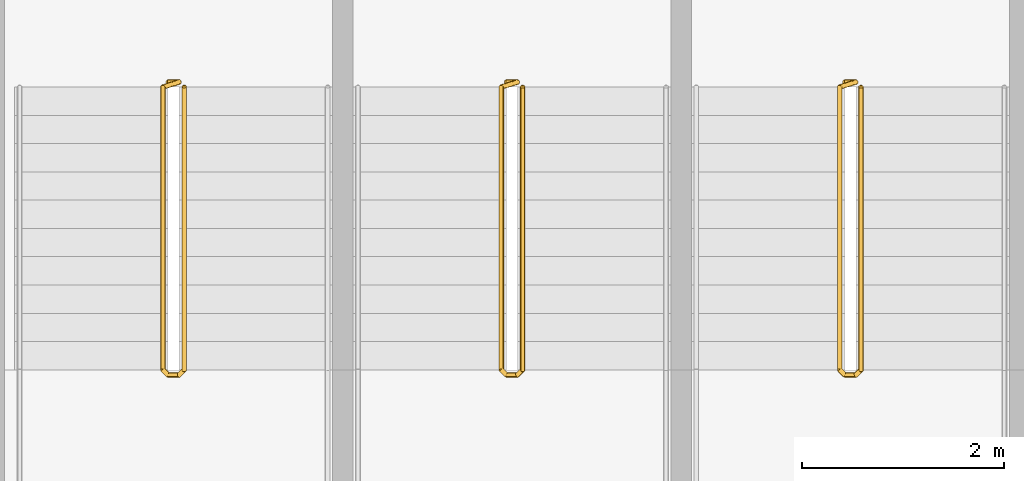
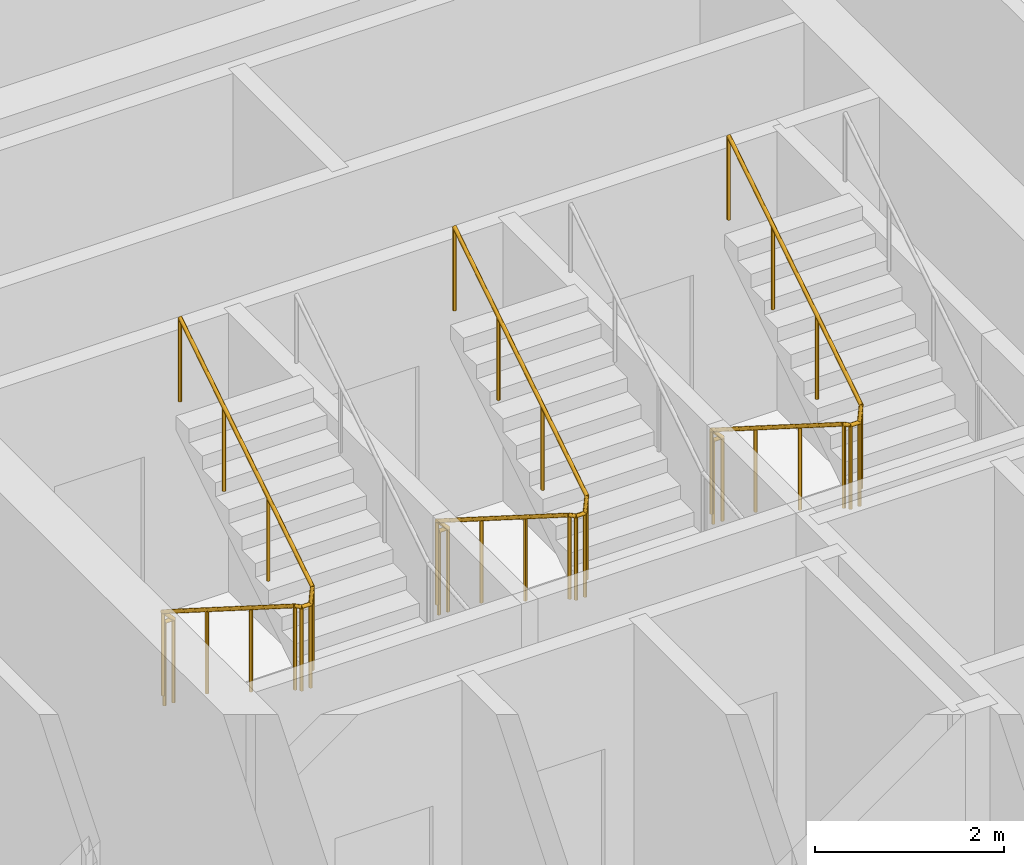
# One storey, part 13 of 13: 3 railings.
"""IFC4 building model written with IfcOpenShell, lengths in metres."""

from ifc_helpers import new_model, si_unit, direction, frame, origin, origin_2d, place, context, subcontext, project, spatial, circle, extrude, material, type_object, element, save


model = new_model("IFC4")

# Units and contexts
model_context = context("Model", 3, precision=1e-05, world=origin(), true_north=direction((0.0, 1.0)))
body_context = subcontext(model_context, "Body", "Model", "MODEL_VIEW")
ifc_project = project(units=[si_unit("LENGTHUNIT", "METRE"), si_unit("AREAUNIT", "SQUARE_METRE"), si_unit("VOLUMEUNIT", "CUBIC_METRE"), si_unit("PLANEANGLEUNIT", "RADIAN"), si_unit("MASSUNIT", "GRAM", prefix="KILO")], contexts=[model_context])

# Site, building, storey
site_placement = place(None, origin())
site = spatial("IfcSite", under=ifc_project, at=site_placement, CompositionType="ELEMENT")
building_placement = place(site_placement, origin())
building = spatial("IfcBuilding", under=site, at=building_placement, Name="Tessera Arch", CompositionType="ELEMENT")
storey_placement = place(building_placement, frame((0.0, 0.0, 189.5)))
storey = spatial("IfcBuildingStorey", under=building, at=storey_placement, Name="L45", CompositionType="ELEMENT", Elevation=189.5)

# Railings
ifc_material = material(Name="Painted steel balustrade", Category="steel")
railing_type = type_object("IfcRailingType", Name="Stair guard 1100", PredefinedType="GUARDRAIL", material=ifc_material)
railing_1_placement = place(storey_placement, frame((38.219970703125, 43.6298828125, 0.0)))
element("IfcRailing", 1, at=railing_1_placement, inside=storey, type_object=railing_type, Name="L45 S1a stair guard 1", PredefinedType="GUARDRAIL", context=body_context, shape_type="SweptSolid", body=[
    extrude(circle(Radius=0.02392578125, at=origin_2d()), frame((-0.00390625, 0.0, 1.076171875), z_axis=(1.0, 0.0, 0.0), x_axis=(0.0, 1.0, 0.0)), (0.0, 0.0, 1.0), 0.1181640625),
    extrude(circle(Radius=0.02392578125, at=origin_2d()), frame((0.11279296875, 0.000732421875, 1.0732421875), z_axis=(-0.656319048605, -0.204099216335, 0.726353093426), x_axis=(0.296948579431, -0.954893471113, 0.0)), (0.0, 0.0, 1.0), 0.251953125),
    extrude(circle(Radius=0.02392578125, at=origin_2d()), frame((-0.050048828125, -0.04638671875, 1.251220703125), z_axis=(0.0, -0.844908973607, 0.534910110503), x_axis=(1.0, 0.0, 0.0)), (0.0, 0.0, 1.0), 3.322021484375),
    extrude(circle(Radius=0.02392578125, at=origin_2d()), frame((-0.052978515625, -2.846923828125, 3.02587890625), z_axis=(0.707106781187, -0.707106781187, 0.0), x_axis=(0.707106781187, 0.707106781187, 0.0)), (0.0, 0.0, 1.0), 0.078857421875),
    extrude(circle(Radius=0.02392578125, at=origin_2d()), frame((-0.00390625, -2.89990234375, 3.02587890625), z_axis=(1.0, 0.0, 0.0), x_axis=(0.0, 1.0, 0.0)), (0.0, 0.0, 1.0), 0.1181640625),
    extrude(circle(Radius=0.02392578125, at=origin_2d()), frame((0.109130859375, -2.90087890625, 3.022216796875), z_axis=(0.261041864531, 0.262321481514, 0.929001929653), x_axis=(-0.708833529934, 0.705375805398, 0.0)), (0.0, 0.0, 1.0), 0.19873046875),
    extrude(circle(Radius=0.02392578125, at=origin_2d()), frame((0.159912109375, -2.853271484375, 3.201171875), z_axis=(0.0, 0.844908973607, 0.534910110503), x_axis=(-1.0, 0.0, 0.0)), (0.0, 0.0, 1.0), 3.322021484375),
    extrude(circle(Radius=0.02099609375, at=origin_2d()), origin(), (0.0, 0.0, 1.0), 1.06396484375),
    extrude(circle(Radius=0.02099609375, at=origin_2d()), frame((0.110107421875, 0.0, 0.0)), (0.0, 0.0, 1.0), 1.06396484375),
    extrude(circle(Radius=0.02099609375, at=origin_2d()), frame((-0.050048828125, -0.0498046875, 0.17724609375)), (0.0, 0.0, 1.0), 1.06396484375),
    extrude(circle(Radius=0.02099609375, at=origin_2d()), frame((-0.050048828125, -0.983154296875, 0.76806640625)), (0.0, 0.0, 1.0), 1.06396484375),
    extrude(circle(Radius=0.02099609375, at=origin_2d()), frame((-0.050048828125, -1.91650390625, 1.359130859375)), (0.0, 0.0, 1.0), 1.06396484375),
    extrude(circle(Radius=0.02099609375, at=origin_2d()), frame((-0.050048828125, -2.849853515625, 1.949951171875)), (0.0, 0.0, 1.0), 1.06396484375),
    extrude(circle(Radius=0.02099609375, at=origin_2d()), frame((0.0, -2.89990234375, 1.949951171875)), (0.0, 0.0, 1.0), 1.06396484375),
    extrude(circle(Radius=0.02099609375, at=origin_2d()), frame((0.110107421875, -2.89990234375, 1.949951171875)), (0.0, 0.0, 1.0), 1.06396484375),
    extrude(circle(Radius=0.02099609375, at=origin_2d()), frame((0.159912109375, -2.849853515625, 2.127197265625)), (0.0, 0.0, 1.0), 1.06396484375),
    extrude(circle(Radius=0.02099609375, at=origin_2d()), frame((0.159912109375, -1.91650390625, 2.718017578125)), (0.0, 0.0, 1.0), 1.06396484375),
    extrude(circle(Radius=0.02099609375, at=origin_2d()), frame((0.159912109375, -0.983154296875, 3.30908203125)), (0.0, 0.0, 1.0), 1.06396484375),
    extrude(circle(Radius=0.02099609375, at=origin_2d()), frame((0.159912109375, -0.0498046875, 3.89990234375)), (0.0, 0.0, 1.0), 1.06396484375),
])
railing_2_placement = place(storey_placement, frame((41.570068359375, 43.6298828125, 0.0)))
element("IfcRailing", 2, at=railing_2_placement, inside=storey, type_object=railing_type, Name="L45 S1b stair guard 1", PredefinedType="GUARDRAIL", context=body_context, shape_type="SweptSolid", body=[
    extrude(circle(Radius=0.02392578125, at=origin_2d()), frame((-0.00390625, 0.0, 1.076171875), z_axis=(1.0, 0.0, 0.0), x_axis=(0.0, 1.0, 0.0)), (0.0, 0.0, 1.0), 0.117919921875),
    extrude(circle(Radius=0.02392578125, at=origin_2d()), frame((0.112548828125, 0.000732421875, 1.0732421875), z_axis=(-0.65574896516, -0.204233265485, 0.726830150696), x_axis=(0.297361876254, -0.954764847777, 0.0)), (0.0, 0.0, 1.0), 0.251953125),
    extrude(circle(Radius=0.02392578125, at=origin_2d()), frame((-0.050048828125, -0.04638671875, 1.251220703125), z_axis=(0.0, -0.844908973607, 0.534910110503), x_axis=(1.0, 0.0, 0.0)), (0.0, 0.0, 1.0), 3.322021484375),
    extrude(circle(Radius=0.02392578125, at=origin_2d()), frame((-0.052978515625, -2.846923828125, 3.02587890625), z_axis=(0.707106781187, -0.707106781187, 0.0), x_axis=(0.707106781187, 0.707106781187, 0.0)), (0.0, 0.0, 1.0), 0.078857421875),
    extrude(circle(Radius=0.02392578125, at=origin_2d()), frame((-0.00390625, -2.89990234375, 3.02587890625), z_axis=(1.0, 0.0, 0.0), x_axis=(0.0, 1.0, 0.0)), (0.0, 0.0, 1.0), 0.117919921875),
    extrude(circle(Radius=0.02392578125, at=origin_2d()), frame((0.10888671875, -2.90087890625, 3.022216796875), z_axis=(0.262233686654, 0.262233686654, 0.928691007369), x_axis=(-0.707106781187, 0.707106781187, 0.0)), (0.0, 0.0, 1.0), 0.198974609375),
    extrude(circle(Radius=0.02392578125, at=origin_2d()), frame((0.159912109375, -2.853271484375, 3.201171875), z_axis=(0.0, 0.844908973607, 0.534910110503), x_axis=(-1.0, 0.0, 0.0)), (0.0, 0.0, 1.0), 3.322021484375),
    extrude(circle(Radius=0.02099609375, at=origin_2d()), origin(), (0.0, 0.0, 1.0), 1.06396484375),
    extrude(circle(Radius=0.02099609375, at=origin_2d()), frame((0.10986328125, 0.0, 0.0)), (0.0, 0.0, 1.0), 1.06396484375),
    extrude(circle(Radius=0.02099609375, at=origin_2d()), frame((-0.050048828125, -0.0498046875, 0.17724609375)), (0.0, 0.0, 1.0), 1.06396484375),
    extrude(circle(Radius=0.02099609375, at=origin_2d()), frame((-0.050048828125, -0.983154296875, 0.76806640625)), (0.0, 0.0, 1.0), 1.06396484375),
    extrude(circle(Radius=0.02099609375, at=origin_2d()), frame((-0.050048828125, -1.91650390625, 1.359130859375)), (0.0, 0.0, 1.0), 1.06396484375),
    extrude(circle(Radius=0.02099609375, at=origin_2d()), frame((-0.050048828125, -2.849853515625, 1.949951171875)), (0.0, 0.0, 1.0), 1.06396484375),
    extrude(circle(Radius=0.02099609375, at=origin_2d()), frame((0.0, -2.89990234375, 1.949951171875)), (0.0, 0.0, 1.0), 1.06396484375),
    extrude(circle(Radius=0.02099609375, at=origin_2d()), frame((0.10986328125, -2.89990234375, 1.949951171875)), (0.0, 0.0, 1.0), 1.06396484375),
    extrude(circle(Radius=0.02099609375, at=origin_2d()), frame((0.159912109375, -2.849853515625, 2.127197265625)), (0.0, 0.0, 1.0), 1.06396484375),
    extrude(circle(Radius=0.02099609375, at=origin_2d()), frame((0.159912109375, -1.91650390625, 2.718017578125)), (0.0, 0.0, 1.0), 1.06396484375),
    extrude(circle(Radius=0.02099609375, at=origin_2d()), frame((0.159912109375, -0.983154296875, 3.30908203125)), (0.0, 0.0, 1.0), 1.06396484375),
    extrude(circle(Radius=0.02099609375, at=origin_2d()), frame((0.159912109375, -0.0498046875, 3.89990234375)), (0.0, 0.0, 1.0), 1.06396484375),
])
railing_3_placement = place(storey_placement, frame((44.919921875, 43.6298828125, 0.0)))
element("IfcRailing", 3, at=railing_3_placement, inside=storey, type_object=railing_type, Name="L45 S1c stair guard 1", PredefinedType="GUARDRAIL", context=body_context, shape_type="SweptSolid", body=[
    extrude(circle(Radius=0.02392578125, at=origin_2d()), frame((-0.00390625, 0.0, 1.076171875), z_axis=(1.0, 0.0, 0.0), x_axis=(0.0, 1.0, 0.0)), (0.0, 0.0, 1.0), 0.1181640625),
    extrude(circle(Radius=0.02392578125, at=origin_2d()), frame((0.11279296875, 0.000732421875, 1.0732421875), z_axis=(-0.65574896516, -0.204233265485, 0.726830150696), x_axis=(0.297361876254, -0.954764847777, 0.0)), (0.0, 0.0, 1.0), 0.251953125),
    extrude(circle(Radius=0.02392578125, at=origin_2d()), frame((-0.0498046875, -0.04638671875, 1.251220703125), z_axis=(0.0, -0.844908973607, 0.534910110503), x_axis=(1.0, 0.0, 0.0)), (0.0, 0.0, 1.0), 3.322021484375),
    extrude(circle(Radius=0.02392578125, at=origin_2d()), frame((-0.052734375, -2.846923828125, 3.02587890625), z_axis=(0.705375805398, -0.708833529934, 0.0), x_axis=(0.708833529934, 0.705375805398, 0.0)), (0.0, 0.0, 1.0), 0.07861328125),
    extrude(circle(Radius=0.02392578125, at=origin_2d()), frame((-0.00390625, -2.89990234375, 3.02587890625), z_axis=(1.0, 0.0, 0.0), x_axis=(0.0, 1.0, 0.0)), (0.0, 0.0, 1.0), 0.1181640625),
    extrude(circle(Radius=0.02392578125, at=origin_2d()), frame((0.109130859375, -2.90087890625, 3.022216796875), z_axis=(0.262233686654, 0.262233686654, 0.928691007369), x_axis=(-0.707106781187, 0.707106781187, 0.0)), (0.0, 0.0, 1.0), 0.198974609375),
    extrude(circle(Radius=0.02392578125, at=origin_2d()), frame((0.16015625, -2.853271484375, 3.201171875), z_axis=(0.0, 0.844908973607, 0.534910110503), x_axis=(-1.0, 0.0, 0.0)), (0.0, 0.0, 1.0), 3.322021484375),
    extrude(circle(Radius=0.02099609375, at=origin_2d()), origin(), (0.0, 0.0, 1.0), 1.06396484375),
    extrude(circle(Radius=0.02099609375, at=origin_2d()), frame((0.110107421875, 0.0, 0.0)), (0.0, 0.0, 1.0), 1.06396484375),
    extrude(circle(Radius=0.02099609375, at=origin_2d()), frame((-0.0498046875, -0.0498046875, 0.17724609375)), (0.0, 0.0, 1.0), 1.06396484375),
    extrude(circle(Radius=0.02099609375, at=origin_2d()), frame((-0.0498046875, -0.983154296875, 0.76806640625)), (0.0, 0.0, 1.0), 1.06396484375),
    extrude(circle(Radius=0.02099609375, at=origin_2d()), frame((-0.0498046875, -1.91650390625, 1.359130859375)), (0.0, 0.0, 1.0), 1.06396484375),
    extrude(circle(Radius=0.02099609375, at=origin_2d()), frame((-0.0498046875, -2.849853515625, 1.949951171875)), (0.0, 0.0, 1.0), 1.06396484375),
    extrude(circle(Radius=0.02099609375, at=origin_2d()), frame((0.0, -2.89990234375, 1.949951171875)), (0.0, 0.0, 1.0), 1.06396484375),
    extrude(circle(Radius=0.02099609375, at=origin_2d()), frame((0.110107421875, -2.89990234375, 1.949951171875)), (0.0, 0.0, 1.0), 1.06396484375),
    extrude(circle(Radius=0.02099609375, at=origin_2d()), frame((0.16015625, -2.849853515625, 2.127197265625)), (0.0, 0.0, 1.0), 1.06396484375),
    extrude(circle(Radius=0.02099609375, at=origin_2d()), frame((0.16015625, -1.91650390625, 2.718017578125)), (0.0, 0.0, 1.0), 1.06396484375),
    extrude(circle(Radius=0.02099609375, at=origin_2d()), frame((0.16015625, -0.983154296875, 3.30908203125)), (0.0, 0.0, 1.0), 1.06396484375),
    extrude(circle(Radius=0.02099609375, at=origin_2d()), frame((0.16015625, -0.0498046875, 3.89990234375)), (0.0, 0.0, 1.0), 1.06396484375),
])

save(model, "model.ifc")
